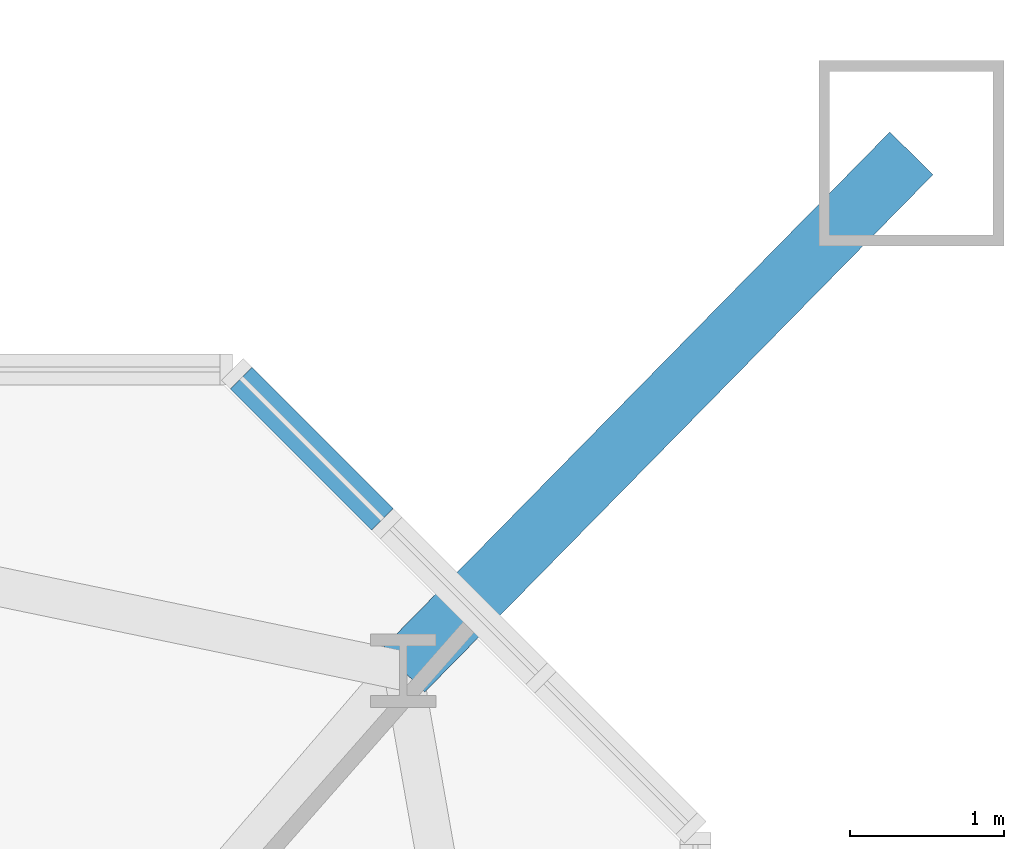
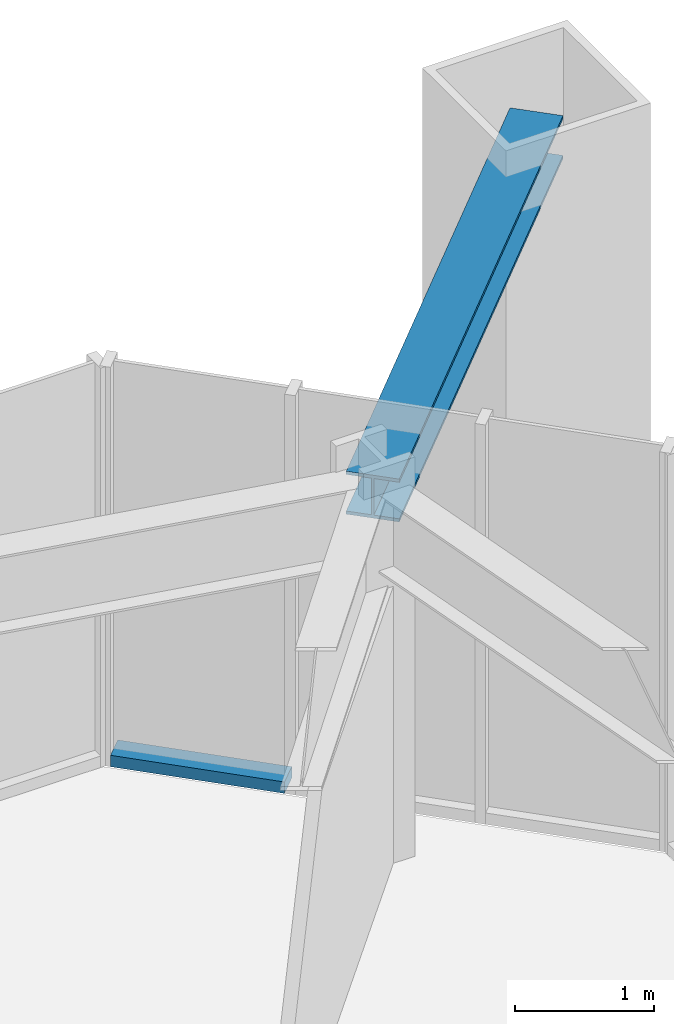
# One storey, part 11 of 26: 2 members, 1 element without a shape of its own.
"""IFC4 building model written with IfcOpenShell, lengths in metres."""

from ifc_helpers import new_model, si_unit, direction, frame, origin, origin_2d, place, context, subcontext, project, spatial, rectangle, i_section, extrude, material, material_profile, profile_set, type_object, element, aggregate, save


model = new_model("IFC4")

# Units and contexts
model_context = context("Model", 3, precision=1e-05, world=origin(), true_north=direction((0.0, 1.0)))
body_context = subcontext(model_context, "Body", "Model", "MODEL_VIEW")
ifc_project = project(units=[si_unit("LENGTHUNIT", "METRE"), si_unit("AREAUNIT", "SQUARE_METRE"), si_unit("VOLUMEUNIT", "CUBIC_METRE"), si_unit("PLANEANGLEUNIT", "RADIAN"), si_unit("MASSUNIT", "GRAM", prefix="KILO")], contexts=[model_context])

# Site, building, storey
site_placement = place(None, origin())
site = spatial("IfcSite", under=ifc_project, at=site_placement, CompositionType="ELEMENT")
building_placement = place(site_placement, origin())
building = spatial("IfcBuilding", under=site, at=building_placement, Name="Iwan Alto Co-Living Towers", CompositionType="ELEMENT")
storey_placement = place(building_placement, frame((0.0, 0.0, 39.5)))
storey = spatial("IfcBuildingStorey", under=building, at=storey_placement, Name="L10", CompositionType="ELEMENT", Elevation=39.5)

# Curtain wall, member
ifc_material_1 = material(Name="Bronze aluminium unitised frame", Category="aluminium")
curtain_wall_type = type_object("IfcCurtainWallType", Name="CURTAIN WALL CW-D", PredefinedType="NOTDEFINED", material=ifc_material_1)
curtain_wall_placement = place(storey_placement, origin())
curtain_wall = element("IfcCurtainWall", 1, at=curtain_wall_placement, inside=storey, type_object=curtain_wall_type, Name="T2 chamfer curtain wall NE L10", PredefinedType="NOTDEFINED")
ifc_material_2 = material(Name="Aluminium 6063-T6 bronze anodised", Category="aluminium")
ifc_material_profile_1 = material_profile(ifc_material_2, rectangle(XDim=0.199951171875, YDim=0.10009765625, at=origin_2d()), Name="AL 200X100")
ifc_profile_set_1 = profile_set([ifc_material_profile_1], Name="Aluminium 6063-T6 bronze anodised")
member_type_1 = type_object("IfcMemberType", Name="CW-D TRANSOM 200X100", PredefinedType="USERDEFINED", material=ifc_profile_set_1)
member_1_placement = place(storey_placement, frame((77.4716796875, 17.7783203125, 0.050048828125), z_axis=(-0.707106781187, 0.707106781187, 0.0), x_axis=(-0.707106781187, -0.707106781187, 0.0)))
member_1 = element("IfcMember", 2, at=member_1_placement, type_object=member_type_1, Name="CW-D transom 3.1", ObjectType="TRANSOM", PredefinedType="USERDEFINED", context=body_context, shape_type="SweptSolid", body=[
    extrude(rectangle(XDim=0.199951171875, YDim=0.10009765625, at=origin_2d()), origin(), (0.0, 0.0, 1.0), 1.2939453125),
])
aggregate(curtain_wall, [member_1])

# Member
ifc_material_3 = material(Name="Steel ASTM A992 Gr 50", Category="steel")
ifc_material_profile_2 = material_profile(ifc_material_3, i_section(OverallWidth=0.393798828125, OverallDepth=0.3759765625, WebThickness=0.017333984375, FlangeThickness=0.027587890625, at=origin_2d()), Name="W14X145")
ifc_profile_set_2 = profile_set([ifc_material_profile_2], Name="Steel ASTM A992 Gr 50")
member_type_2 = type_object("IfcMemberType", Name="T2 MEGA COLUMN FLOOR TIE W14X145", PredefinedType="STRUT", material=ifc_profile_set_2)
member_2_placement = place(storey_placement, frame((80.89990234375, 20.14990234375, 3.08203125), z_axis=(-0.700793469544, -0.71336422187, 0.0), x_axis=(0.71336422187, -0.700793469544, 0.0)))
element("IfcMember", 3, at=member_2_placement, inside=storey, type_object=member_type_2, Name="T2 mega column floor tie NE L11", PredefinedType="STRUT", context=body_context, shape_type="SweptSolid", body=[
    extrude(i_section(OverallWidth=0.393798828125, OverallDepth=0.3759765625, WebThickness=0.017333984375, FlangeThickness=0.027587890625, at=origin_2d()), origin(), (0.0, 0.0, 1.0), 4.699951171875),
])

save(model, "model.ifc")
